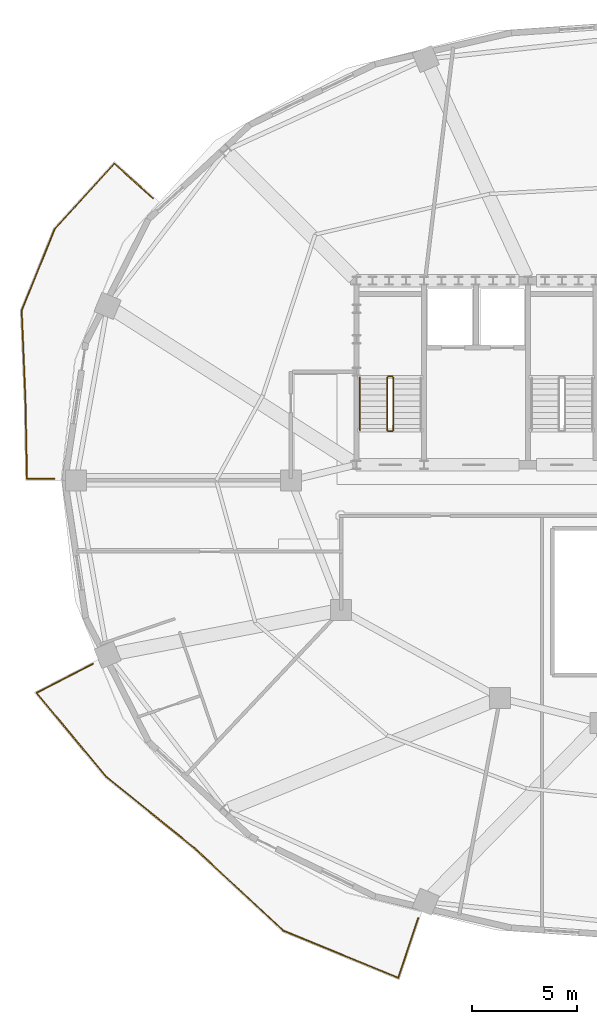
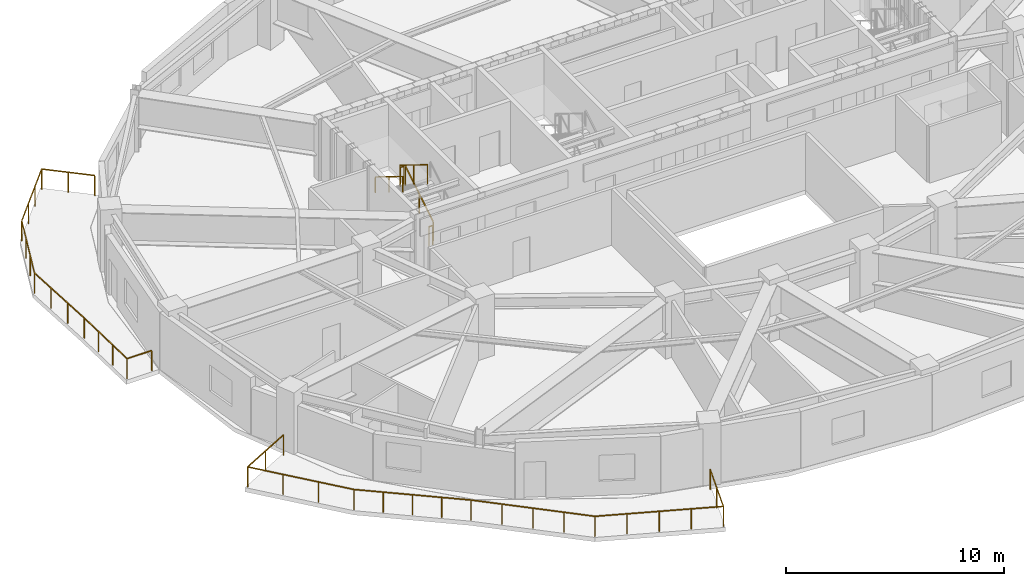
# One storey, part 8 of 12: 7 railings.
"""IFC4 building model written with IfcOpenShell, lengths in metres."""

import ifcopenshell
import ifcopenshell.guid

model = None  # the IFC model being written
_history = None  # IfcOwnerHistory: only IFC2X3 demands one
_inside = {}  # id of a spatial element -> (the spatial element, [elements in it])
_under = {}  # id of a project, library or spatial element -> (it, [spatial elements below it])
_declared = {}  # id of a project -> (the project, [libraries it declares])
_typed = {}  # id of a type object -> (the type object, [elements of that type])
_made_of = {}  # id of a material, layer set ... -> (it, [elements and type objects made of it])


def new_model(schema):
    """Start an empty IFC model of exactly this schema.

    Asked for "IFC4X3", IfcOpenShell would pick the latest addendum, in which some entities
    have other attributes; the version numbers below select the first issue.
    IFC2X3 requires an IfcOwnerHistory on every rooted entity: one is made here for all.
    """
    global model, _history
    if schema == "IFC4X3":
        model = ifcopenshell.file(schema_version=(4, 3, 0, 0))
    else:
        model = ifcopenshell.file(schema=schema)
    _inside.clear()
    _under.clear()
    _declared.clear()
    _typed.clear()
    _made_of.clear()
    _history = None
    if model.schema == "IFC2X3":
        org = make("IfcOrganization", Name="unknown")
        user = make(
            "IfcPersonAndOrganization",
            ThePerson=make("IfcPerson", FamilyName="unknown"),
            TheOrganization=org,
        )
        app = make(
            "IfcApplication",
            ApplicationDeveloper=org,
            Version="unknown",
            ApplicationFullName="unknown",
            ApplicationIdentifier="unknown",
        )
        _history = make(
            "IfcOwnerHistory",
            OwningUser=user,
            OwningApplication=app,
            ChangeAction="ADDED",
            CreationDate=0,
        )
    return model


def make(cls, **values):
    """One entity of the class cls with the attributes given. An attribute that is None is left unset."""
    return model.create_entity(
        cls, **{name: value for name, value in values.items() if value is not None}
    )


def rooted(cls, **values):
    """An entity with a GlobalId (a new one), such as an element, a storey or a relation."""
    return make(cls, GlobalId=ifcopenshell.guid.new(), OwnerHistory=_history, **values)


def si_unit(unit_type, name, prefix=None):
    """IfcSIUnit, for example si_unit("LENGTHUNIT", "METRE", prefix="MILLI")."""
    return make("IfcSIUnit", UnitType=unit_type, Prefix=prefix, Name=name)


def assignment(units):
    """IfcUnitAssignment: the units of a project."""
    return None if units is None else make("IfcUnitAssignment", Units=units)


def point(xyz):
    """IfcCartesianPoint."""
    return None if xyz is None else make("IfcCartesianPoint", Coordinates=xyz)


def direction(xyz):
    """IfcDirection."""
    return None if xyz is None else make("IfcDirection", DirectionRatios=xyz)


def frame(location, z_axis=None, x_axis=None):
    """IfcAxis2Placement3D, a coordinate frame: its origin and axes. An axis left out is left unset."""
    return make(
        "IfcAxis2Placement3D",
        Location=point(location),
        Axis=direction(z_axis),
        RefDirection=direction(x_axis),
    )


def frame_2d(location, x_axis=None):
    """IfcAxis2Placement2D, a coordinate frame in the plane: its origin and x axis."""
    return make(
        "IfcAxis2Placement2D", Location=point(location), RefDirection=direction(x_axis)
    )


def origin():
    """The frame at (0, 0, 0) with its axes left unset."""
    return frame((0.0, 0.0, 0.0))


def origin_2d():
    """The frame at (0, 0) in the plane with its x axis left unset."""
    return frame_2d((0.0, 0.0))


def place(relative_to, where):
    """IfcLocalPlacement: puts the frame where relative to a parent placement (None: the world)."""
    return make(
        "IfcLocalPlacement", PlacementRelTo=relative_to, RelativePlacement=where
    )


def context(
    kind, dimensions, precision=None, world=None, true_north=None, identifier=None
):
    """IfcGeometricRepresentationContext, for example the 3D "Model" context."""
    return make(
        "IfcGeometricRepresentationContext",
        ContextIdentifier=identifier,
        ContextType=kind,
        CoordinateSpaceDimension=dimensions,
        Precision=precision,
        WorldCoordinateSystem=world,
        TrueNorth=true_north,
    )


def subcontext(parent, identifier, kind, view, scale=None):
    """IfcGeometricRepresentationSubContext, for example "Body" below "Model"."""
    return make(
        "IfcGeometricRepresentationSubContext",
        ContextIdentifier=identifier,
        ContextType=kind,
        ParentContext=parent,
        TargetScale=scale,
        TargetView=view,
    )


def project(units=None, contexts=None):
    """IfcProject with its units and contexts."""
    return rooted(
        "IfcProject",
        Name="project",
        RepresentationContexts=contexts,
        UnitsInContext=assignment(units),
    )


def spatial(cls, under=None, at=None, **own):
    """A site, building, storey or space (cls), placed at a placement, below another one or the project."""
    s = rooted(cls, ObjectPlacement=at, **own)
    if under is not None:
        _under.setdefault(under.id(), (under, []))[1].append(s)
    return s


def profile(cls, at=None, kind="AREA", **sizes):
    """A parametric profile (cls). Its sizes go by their IFC names, for example OverallWidth=200.0."""
    return make(cls, ProfileType=kind, Position=at, **sizes)


def rectangle(**sizes):
    """IfcRectangleProfileDef."""
    return profile("IfcRectangleProfileDef", **sizes)


def extrude(swept, where, along, depth):
    """IfcExtrudedAreaSolid: the profile swept, set in the frame where, extruded along a direction by depth."""
    return make(
        "IfcExtrudedAreaSolid",
        SweptArea=swept,
        Position=where,
        ExtrudedDirection=direction(along),
        Depth=depth,
    )


def shape(context_of_items, identifier, shape_type, items):
    """IfcShapeRepresentation: the items that make up one representation, for example the "Body"."""
    return make(
        "IfcShapeRepresentation",
        ContextOfItems=context_of_items,
        RepresentationIdentifier=identifier,
        RepresentationType=shape_type,
        Items=items,
    )


def material(Name=None, Category=None):
    """IfcMaterial."""
    return make("IfcMaterial", Name=Name, Category=Category)


def made_of(thing, what):
    """Note that an element or type object is made of a material, layer set ...; save() writes the relation."""
    if what is not None:
        _made_of.setdefault(what.id(), (what, []))[1].append(thing)
    return thing


def type_object(cls, material=None, **own):
    """A type object (cls), such as IfcWallType, which elements share."""
    return made_of(rooted(cls, **own), material)


def element(
    cls,
    number,
    at=None,
    inside=None,
    cuts=None,
    type_object=None,
    material=None,
    context=None,
    identifier="Body",
    shape_type=None,
    held_by="IfcProductDefinitionShape",
    body=None,
    shapes=None,
    **own,
):
    """One element of the class cls, such as IfcWall. Its Tag is "e" and its number.

    at: its placement. inside: the storey or other place that contains it. cuts: it is an
    opening in that element (IfcRelVoidsElement). A single representation is given by context,
    identifier, shape_type and body (its items); several are given by shapes. held_by: the class
    of the entity that holds the representations. save() writes the other relations.
    """
    e = rooted(cls, Tag="e%d" % number, ObjectPlacement=at, **own)
    if body is not None:
        shapes = [shape(context, identifier, shape_type, body)]
    if shapes is not None:
        e.Representation = make(held_by, Representations=shapes)
    if inside is not None:
        _inside.setdefault(inside.id(), (inside, []))[1].append(e)
    if cuts is not None:
        rooted(
            "IfcRelVoidsElement", RelatingBuildingElement=cuts, RelatedOpeningElement=e
        )
    if type_object is not None:
        _typed.setdefault(type_object.id(), (type_object, []))[1].append(e)
    return made_of(e, material)


def aggregate(whole, parts):
    """IfcRelAggregates: a whole, such as a stair, and the parts it consists of."""
    return rooted("IfcRelAggregates", RelatingObject=whole, RelatedObjects=parts)


def save(model, path):
    """Write the relations noted so far, then the file.

    IfcRelAggregates (storeys below a building ...), IfcRelContainedInSpatialStructure (elements
    in a storey), IfcRelDefinesByType, IfcRelAssociatesMaterial and IfcRelDeclares: one each for
    every whole, place, type object, material and project.
    """
    for whole, parts in _under.values():
        aggregate(whole, parts)
    for where, things in _inside.values():
        rooted(
            "IfcRelContainedInSpatialStructure",
            RelatedElements=things,
            RelatingStructure=where,
        )
    for kind, things in _typed.values():
        rooted("IfcRelDefinesByType", RelatedObjects=things, RelatingType=kind)
    for what, things in _made_of.values():
        rooted("IfcRelAssociatesMaterial", RelatedObjects=things, RelatingMaterial=what)
    for by, libraries in _declared.values():
        rooted("IfcRelDeclares", RelatingContext=by, RelatedDefinitions=libraries)
    model.write(path)


model = new_model("IFC4")

# Units and contexts
model_context = context("Model", 3, precision=1e-05, world=origin(), true_north=direction((0.0, 1.0)))
body_context = subcontext(model_context, "Body", "Model", "MODEL_VIEW")
ifc_project = project(units=[si_unit("LENGTHUNIT", "METRE"), si_unit("AREAUNIT", "SQUARE_METRE"), si_unit("VOLUMEUNIT", "CUBIC_METRE"), si_unit("PLANEANGLEUNIT", "RADIAN"), si_unit("MASSUNIT", "GRAM", prefix="KILO")], contexts=[model_context])

# Site, building, storey
site_placement = place(None, origin())
site = spatial("IfcSite", under=ifc_project, at=site_placement, CompositionType="ELEMENT")
building_placement = place(site_placement, origin())
building = spatial("IfcBuilding", under=site, at=building_placement, Name="Haldorwick Loom Tower", CompositionType="ELEMENT")
storey_placement = place(building_placement, frame((0.0, 0.0, 237.449951171875)))
storey = spatial("IfcBuildingStorey", under=building, at=storey_placement, Name="L64", CompositionType="ELEMENT", Elevation=237.449951171875)

# Railings
ifc_material_1 = material(Name="Galvanized Steel CSA G40.21 350W", Category="steel")
railing_type_1 = type_object("IfcRailingType", Name="ARC-RLG-BAL115", PredefinedType="BALUSTRADE", material=ifc_material_1)
railing_1_placement = place(storey_placement, frame((24.881591796875, 5.080322265625, 0.0)))
element("IfcRailing", 1, at=railing_1_placement, inside=storey, type_object=railing_type_1, Name="L64 Outdoor Terrace Guardrail SLB-L64-BAL_SW-1", PredefinedType="BALUSTRADE", context=body_context, shape_type="SweptSolid", body=[
    extrude(rectangle(XDim=0.048095703125, YDim=0.048095703125, at=origin_2d()), frame((0.0, 0.0, 1.1259765625), z_axis=(-0.316617322318, -0.94855335707, 0.0), x_axis=(0.94855335707, -0.316617322318, 0.0)), (0.0, 0.0, 1.0), 3.008056640625),
    extrude(rectangle(XDim=0.048095703125, YDim=0.048095703125, at=origin_2d()), frame((-0.952392578125, -2.853271484375, 1.1259765625), z_axis=(-0.925202341304, 0.379474146215, 0.0), x_axis=(-0.379474146215, -0.925202341304, 0.0)), (0.0, 0.0, 1.0), 5.93115234375),
    extrude(rectangle(XDim=0.048095703125, YDim=0.048095703125, at=origin_2d()), frame((-6.43994140625, -0.6025390625, 1.1259765625), z_axis=(-0.732602176126, 0.680657073375, 0.0), x_axis=(-0.680657073375, -0.732602176126, 0.0)), (0.0, 0.0, 1.0), 5.818603515625),
    extrude(rectangle(XDim=0.048095703125, YDim=0.048095703125, at=origin_2d()), frame((-10.70263671875, 3.35791015625, 1.1259765625), z_axis=(-0.749837855365, 0.661621637087, 0.0), x_axis=(-0.661621637087, -0.749837855365, 0.0)), (0.0, 0.0, 1.0), 0.005615234375),
    extrude(rectangle(XDim=0.048095703125, YDim=0.048095703125, at=origin_2d()), frame((-10.706787109375, 3.361572265625, 1.1259765625), z_axis=(-0.778001361857, 0.628262589169, 0.0), x_axis=(-0.628262589169, -0.778001361857, 0.0)), (0.0, 0.0, 1.0), 5.414794921875),
    extrude(rectangle(XDim=0.048095703125, YDim=0.048095703125, at=origin_2d()), frame((-14.91943359375, 6.763427734375, 1.1259765625), z_axis=(-0.63841669746, 0.769690925245, 0.0), x_axis=(-0.769690925245, -0.63841669746, 0.0)), (0.0, 0.0, 1.0), 5.1943359375),
    extrude(rectangle(XDim=0.048095703125, YDim=0.048095703125, at=origin_2d()), frame((-18.235595703125, 10.761474609375, 1.1259765625), z_axis=(0.888536997584, 0.458804973736, 0.0), x_axis=(-0.458804973736, 0.888536997584, 0.0)), (0.0, 0.0, 1.0), 3.031494140625),
    extrude(rectangle(XDim=0.0419921875, YDim=0.0419921875, at=origin_2d()), origin(), (0.0, 0.0, 1.0), 1.101806640625),
    extrude(rectangle(XDim=0.0419921875, YDim=0.0419921875, at=origin_2d()), frame((-0.47607421875, -1.4267578125, 0.0)), (0.0, 0.0, 1.0), 1.101806640625),
    extrude(rectangle(XDim=0.0419921875, YDim=0.0419921875, at=origin_2d()), frame((-0.952392578125, -2.853271484375, 0.0)), (0.0, 0.0, 1.0), 1.101806640625),
    extrude(rectangle(XDim=0.0419921875, YDim=0.0419921875, at=origin_2d()), frame((-2.32421875, -2.29052734375, 0.0)), (0.0, 0.0, 1.0), 1.101806640625),
    extrude(rectangle(XDim=0.0419921875, YDim=0.0419921875, at=origin_2d()), frame((-3.6962890625, -1.72802734375, 0.0)), (0.0, 0.0, 1.0), 1.101806640625),
    extrude(rectangle(XDim=0.0419921875, YDim=0.0419921875, at=origin_2d()), frame((-5.068115234375, -1.165283203125, 0.0)), (0.0, 0.0, 1.0), 1.101806640625),
    extrude(rectangle(XDim=0.0419921875, YDim=0.0419921875, at=origin_2d()), frame((-6.43994140625, -0.6025390625, 0.0)), (0.0, 0.0, 1.0), 1.101806640625),
    extrude(rectangle(XDim=0.0419921875, YDim=0.0419921875, at=origin_2d()), frame((-7.505615234375, 0.3876953125, 0.0)), (0.0, 0.0, 1.0), 1.101806640625),
    extrude(rectangle(XDim=0.0419921875, YDim=0.0419921875, at=origin_2d()), frame((-8.5712890625, 1.377685546875, 0.0)), (0.0, 0.0, 1.0), 1.101806640625),
    extrude(rectangle(XDim=0.0419921875, YDim=0.0419921875, at=origin_2d()), frame((-9.636962890625, 2.36767578125, 0.0)), (0.0, 0.0, 1.0), 1.101806640625),
    extrude(rectangle(XDim=0.0419921875, YDim=0.0419921875, at=origin_2d()), frame((-10.70263671875, 3.35791015625, 0.0)), (0.0, 0.0, 1.0), 1.101806640625),
    extrude(rectangle(XDim=0.0419921875, YDim=0.0419921875, at=origin_2d()), frame((-11.760009765625, 4.2119140625, 0.0)), (0.0, 0.0, 1.0), 1.101806640625),
    extrude(rectangle(XDim=0.0419921875, YDim=0.0419921875, at=origin_2d()), frame((-12.81298828125, 5.0625, 0.0)), (0.0, 0.0, 1.0), 1.101806640625),
    extrude(rectangle(XDim=0.0419921875, YDim=0.0419921875, at=origin_2d()), frame((-13.8662109375, 5.9130859375, 0.0)), (0.0, 0.0, 1.0), 1.101806640625),
    extrude(rectangle(XDim=0.0419921875, YDim=0.0419921875, at=origin_2d()), frame((-14.91943359375, 6.763427734375, 0.0)), (0.0, 0.0, 1.0), 1.101806640625),
    extrude(rectangle(XDim=0.0419921875, YDim=0.0419921875, at=origin_2d()), frame((-16.02490234375, 8.09619140625, 0.0)), (0.0, 0.0, 1.0), 1.101806640625),
    extrude(rectangle(XDim=0.0419921875, YDim=0.0419921875, at=origin_2d()), frame((-17.130126953125, 9.4287109375, 0.0)), (0.0, 0.0, 1.0), 1.101806640625),
    extrude(rectangle(XDim=0.0419921875, YDim=0.0419921875, at=origin_2d()), frame((-18.235595703125, 10.761474609375, 0.0)), (0.0, 0.0, 1.0), 1.101806640625),
    extrude(rectangle(XDim=0.0419921875, YDim=0.0419921875, at=origin_2d()), frame((-16.888671875, 11.45703125, 0.0)), (0.0, 0.0, 1.0), 1.101806640625),
    extrude(rectangle(XDim=0.0419921875, YDim=0.0419921875, at=origin_2d()), frame((-15.5419921875, 12.15234375, 0.0)), (0.0, 0.0, 1.0), 1.101806640625),
])
railing_2_placement = place(storey_placement, frame((7.490478515625, 26.080078125, 0.0)))
element("IfcRailing", 2, at=railing_2_placement, inside=storey, type_object=railing_type_1, Name="L64 Outdoor Terrace Guardrail SLB-L64-BAL_WNW-1", PredefinedType="BALUSTRADE", context=body_context, shape_type="SweptSolid", body=[
    extrude(rectangle(XDim=0.048095703125, YDim=0.048095703125, at=origin_2d()), frame((0.0, 0.0, 1.1259765625), z_axis=(-1.0, 0.0, 0.0), x_axis=(0.0, -1.0, 0.0)), (0.0, 0.0, 1.0), 1.304931640625),
    extrude(rectangle(XDim=0.048095703125, YDim=0.048095703125, at=origin_2d()), frame((-1.304931640625, 0.0, 1.1259765625), z_axis=(-0.019770692046, 0.999804540766, 0.0), x_axis=(-0.999804540766, -0.019770692046, 0.0)), (0.0, 0.0, 1.0), 3.791015625),
    extrude(rectangle(XDim=0.048095703125, YDim=0.048095703125, at=origin_2d()), frame((-1.3798828125, 3.790283203125, 1.1259765625), z_axis=(0.0, 1.0, 0.0), x_axis=(-1.0, 0.0, 0.0)), (0.0, 0.0, 1.0), 0.001708984375),
    extrude(rectangle(XDim=0.048095703125, YDim=0.048095703125, at=origin_2d()), frame((-1.3798828125, 3.7919921875, 1.1259765625), z_axis=(-0.041900694806, 0.999121780252, 0.0), x_axis=(-0.999121780252, -0.041900694806, 0.0)), (0.0, 0.0, 1.0), 4.24755859375),
    extrude(rectangle(XDim=0.048095703125, YDim=0.048095703125, at=origin_2d()), frame((-1.557861328125, 8.035888671875, 1.1259765625), z_axis=(0.375139337965, 0.926968433719, 0.0), x_axis=(-0.926968433719, 0.375139337965, 0.0)), (0.0, 0.0, 1.0), 4.20751953125),
    extrude(rectangle(XDim=0.048095703125, YDim=0.048095703125, at=origin_2d()), frame((0.0205078125, 11.93603515625, 1.1259765625), z_axis=(0.674655136973, 0.738133081603, 0.0), x_axis=(-0.738133081603, 0.674655136973, 0.0)), (0.0, 0.0, 1.0), 4.230712890625),
    extrude(rectangle(XDim=0.048095703125, YDim=0.048095703125, at=origin_2d()), frame((2.874755859375, 15.058837890625, 1.1259765625), z_axis=(0.743548464726, -0.668682047466, 0.0), x_axis=(0.668682047466, 0.743548464726, 0.0)), (0.0, 0.0, 1.0), 2.481689453125),
    extrude(rectangle(XDim=0.0419921875, YDim=0.0419921875, at=origin_2d()), origin(), (0.0, 0.0, 1.0), 1.101806640625),
    extrude(rectangle(XDim=0.0419921875, YDim=0.0419921875, at=origin_2d()), frame((-1.304931640625, 0.0, 0.0)), (0.0, 0.0, 1.0), 1.101806640625),
    extrude(rectangle(XDim=0.0419921875, YDim=0.0419921875, at=origin_2d()), frame((-1.329833984375, 1.263427734375, 0.0)), (0.0, 0.0, 1.0), 1.101806640625),
    extrude(rectangle(XDim=0.0419921875, YDim=0.0419921875, at=origin_2d()), frame((-1.35498046875, 2.52685546875, 0.0)), (0.0, 0.0, 1.0), 1.101806640625),
    extrude(rectangle(XDim=0.0419921875, YDim=0.0419921875, at=origin_2d()), frame((-1.3798828125, 3.790283203125, 0.0)), (0.0, 0.0, 1.0), 1.101806640625),
    extrude(rectangle(XDim=0.0419921875, YDim=0.0419921875, at=origin_2d()), frame((-1.439208984375, 5.20654296875, 0.0)), (0.0, 0.0, 1.0), 1.101806640625),
    extrude(rectangle(XDim=0.0419921875, YDim=0.0419921875, at=origin_2d()), frame((-1.49853515625, 6.621337890625, 0.0)), (0.0, 0.0, 1.0), 1.101806640625),
    extrude(rectangle(XDim=0.0419921875, YDim=0.0419921875, at=origin_2d()), frame((-1.557861328125, 8.035888671875, 0.0)), (0.0, 0.0, 1.0), 1.101806640625),
    extrude(rectangle(XDim=0.0419921875, YDim=0.0419921875, at=origin_2d()), frame((-1.03173828125, 9.3359375, 0.0)), (0.0, 0.0, 1.0), 1.101806640625),
    extrude(rectangle(XDim=0.0419921875, YDim=0.0419921875, at=origin_2d()), frame((-0.505615234375, 10.635986328125, 0.0)), (0.0, 0.0, 1.0), 1.101806640625),
    extrude(rectangle(XDim=0.0419921875, YDim=0.0419921875, at=origin_2d()), frame((0.0205078125, 11.93603515625, 0.0)), (0.0, 0.0, 1.0), 1.101806640625),
    extrude(rectangle(XDim=0.0419921875, YDim=0.0419921875, at=origin_2d()), frame((0.971923828125, 12.97705078125, 0.0)), (0.0, 0.0, 1.0), 1.101806640625),
    extrude(rectangle(XDim=0.0419921875, YDim=0.0419921875, at=origin_2d()), frame((1.92333984375, 14.017822265625, 0.0)), (0.0, 0.0, 1.0), 1.101806640625),
    extrude(rectangle(XDim=0.0419921875, YDim=0.0419921875, at=origin_2d()), frame((2.874755859375, 15.058837890625, 0.0)), (0.0, 0.0, 1.0), 1.101806640625),
    extrude(rectangle(XDim=0.0419921875, YDim=0.0419921875, at=origin_2d()), frame((3.79736328125, 14.22900390625, 0.0)), (0.0, 0.0, 1.0), 1.101806640625),
    extrude(rectangle(XDim=0.0419921875, YDim=0.0419921875, at=origin_2d()), frame((4.719970703125, 13.3994140625, 0.0)), (0.0, 0.0, 1.0), 1.101806640625),
])
ifc_material_2 = material(Name="Steel CSA G40.21 350W", Category="steel")
railing_type_2 = type_object("IfcRailingType", Name="ARC-RLG-GUARD112", PredefinedType="GUARDRAIL", material=ifc_material_2)
railing_3_placement = place(storey_placement, frame((23.699951171875, 28.39990234375, 0.172607421875)))
element("IfcRailing", 3, at=railing_3_placement, inside=storey, type_object=railing_type_2, Name="L64 ST-01 stair guard 1", PredefinedType="GUARDRAIL", context=body_context, shape_type="SweptSolid", body=[
    extrude(rectangle(XDim=0.048095703125, YDim=0.048095703125, at=origin_2d()), frame((0.0, 0.0, 1.076171875), z_axis=(0.0, 0.851400495292, 0.524516154772), x_axis=(-1.0, 0.0, 0.0)), (0.0, 0.0, 1.0), 2.9599609375),
    extrude(rectangle(XDim=0.0419921875, YDim=0.0419921875, at=origin_2d()), origin(), (0.0, 0.0, 1.0), 1.052001953125),
    extrude(rectangle(XDim=0.0419921875, YDim=0.0419921875, at=origin_2d()), frame((0.0, 1.260009765625, 0.7763671875)), (0.0, 0.0, 1.0), 1.052001953125),
    extrude(rectangle(XDim=0.0419921875, YDim=0.0419921875, at=origin_2d()), frame((0.0, 2.52001953125, 1.552490234375)), (0.0, 0.0, 1.0), 1.052001953125),
])
railing_4_placement = place(storey_placement, frame((23.64990234375, 30.969970703125, 1.72509765625)))
element("IfcRailing", 4, at=railing_4_placement, inside=storey, type_object=railing_type_2, Name="L64 ST-01 stair guard 2", PredefinedType="GUARDRAIL", context=body_context, shape_type="SweptSolid", body=[
    extrude(rectangle(XDim=0.048095703125, YDim=0.048095703125, at=origin_2d()), frame((0.0, 0.0, 1.076171875), z_axis=(-1.0, 0.0, 0.0), x_axis=(0.0, -1.0, 0.0)), (0.0, 0.0, 1.0), 0.199951171875),
    extrude(rectangle(XDim=0.0419921875, YDim=0.0419921875, at=origin_2d()), origin(), (0.0, 0.0, 1.0), 1.052001953125),
    extrude(rectangle(XDim=0.0419921875, YDim=0.0419921875, at=origin_2d()), frame((-0.199951171875, 0.0, 0.0)), (0.0, 0.0, 1.0), 1.052001953125),
])
railing_5_placement = place(storey_placement, frame((23.39990234375, 30.919921875, 1.8974609375)))
element("IfcRailing", 5, at=railing_5_placement, inside=storey, type_object=railing_type_2, Name="L64 ST-01 stair guard 3", PredefinedType="GUARDRAIL", context=body_context, shape_type="SweptSolid", body=[
    extrude(rectangle(XDim=0.048095703125, YDim=0.048095703125, at=origin_2d()), frame((0.0, 0.0, 1.076171875), z_axis=(0.0, -0.851400495292, 0.524516154772), x_axis=(1.0, 0.0, 0.0)), (0.0, 0.0, 1.0), 2.9599609375),
    extrude(rectangle(XDim=0.0419921875, YDim=0.0419921875, at=origin_2d()), origin(), (0.0, 0.0, 1.0), 1.052001953125),
    extrude(rectangle(XDim=0.0419921875, YDim=0.0419921875, at=origin_2d()), frame((0.0, -1.260009765625, 0.7763671875)), (0.0, 0.0, 1.0), 1.052001953125),
    extrude(rectangle(XDim=0.0419921875, YDim=0.0419921875, at=origin_2d()), frame((0.0, -2.52001953125, 1.552490234375)), (0.0, 0.0, 1.0), 1.052001953125),
])
railing_6_placement = place(storey_placement, frame((23.64990234375, 28.35009765625, 0.0)))
element("IfcRailing", 6, at=railing_6_placement, inside=storey, type_object=railing_type_2, Name="L64 ST-01 stair guard 4", PredefinedType="GUARDRAIL", context=body_context, shape_type="SweptSolid", body=[
    extrude(rectangle(XDim=0.048095703125, YDim=0.048095703125, at=origin_2d()), frame((0.0, 0.0, 1.076171875), z_axis=(-1.0, 0.0, 0.0), x_axis=(0.0, -1.0, 0.0)), (0.0, 0.0, 1.0), 0.199951171875),
    extrude(rectangle(XDim=0.0419921875, YDim=0.0419921875, at=origin_2d()), origin(), (0.0, 0.0, 1.0), 1.052001953125),
    extrude(rectangle(XDim=0.0419921875, YDim=0.0419921875, at=origin_2d()), frame((-0.199951171875, 0.0, 0.0)), (0.0, 0.0, 1.0), 1.052001953125),
])
railing_type_3 = type_object("IfcRailingType", Name="ARC-RLG-HAND092", PredefinedType="HANDRAIL", material=ifc_material_2)
railing_7_placement = place(storey_placement, frame((22.10009765625, 30.919921875, 1.8974609375)))
element("IfcRailing", 7, at=railing_7_placement, inside=storey, type_object=railing_type_3, Name="L64 ST-01 stair handrail 2", PredefinedType="HANDRAIL", context=body_context, shape_type="SweptSolid", body=[
    extrude(rectangle(XDim=0.048095703125, YDim=0.048095703125, at=origin_2d()), frame((0.0, 0.0, 0.8759765625), z_axis=(0.0, -0.851400495292, 0.524516154772), x_axis=(1.0, 0.0, 0.0)), (0.0, 0.0, 1.0), 2.9599609375),
    extrude(rectangle(XDim=0.0419921875, YDim=0.0419921875, at=origin_2d()), origin(), (0.0, 0.0, 1.0), 0.851806640625),
    extrude(rectangle(XDim=0.0419921875, YDim=0.0419921875, at=origin_2d()), frame((0.0, -1.260009765625, 0.7763671875)), (0.0, 0.0, 1.0), 0.851806640625),
    extrude(rectangle(XDim=0.0419921875, YDim=0.0419921875, at=origin_2d()), frame((0.0, -2.52001953125, 1.552490234375)), (0.0, 0.0, 1.0), 0.851806640625),
])

save(model, "model.ifc")
